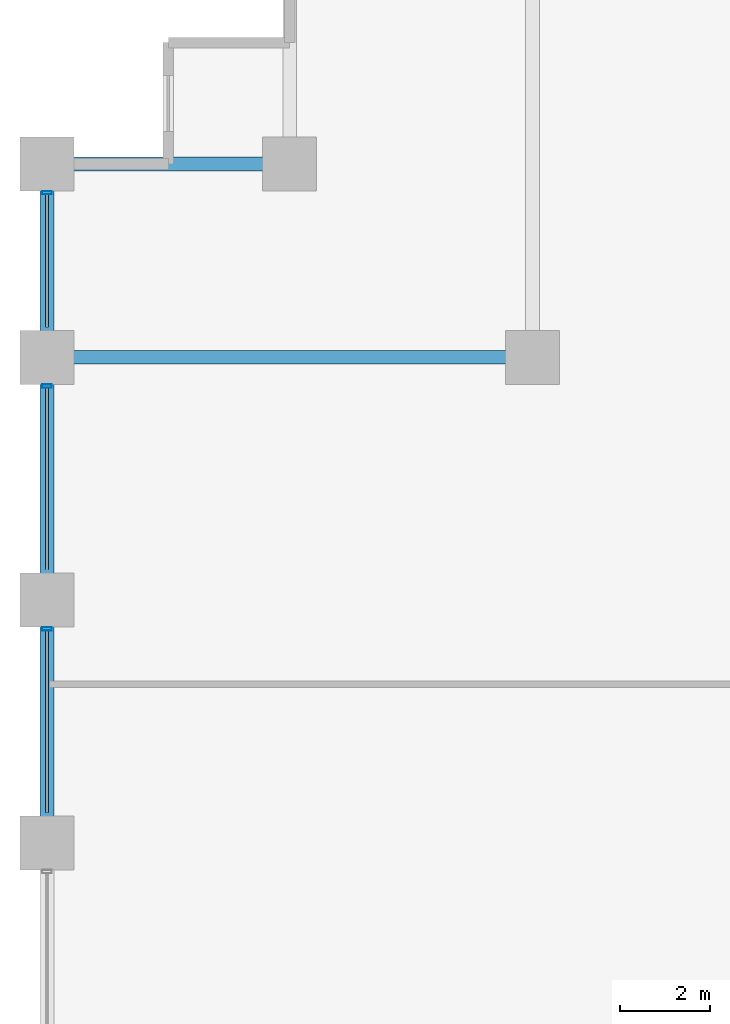
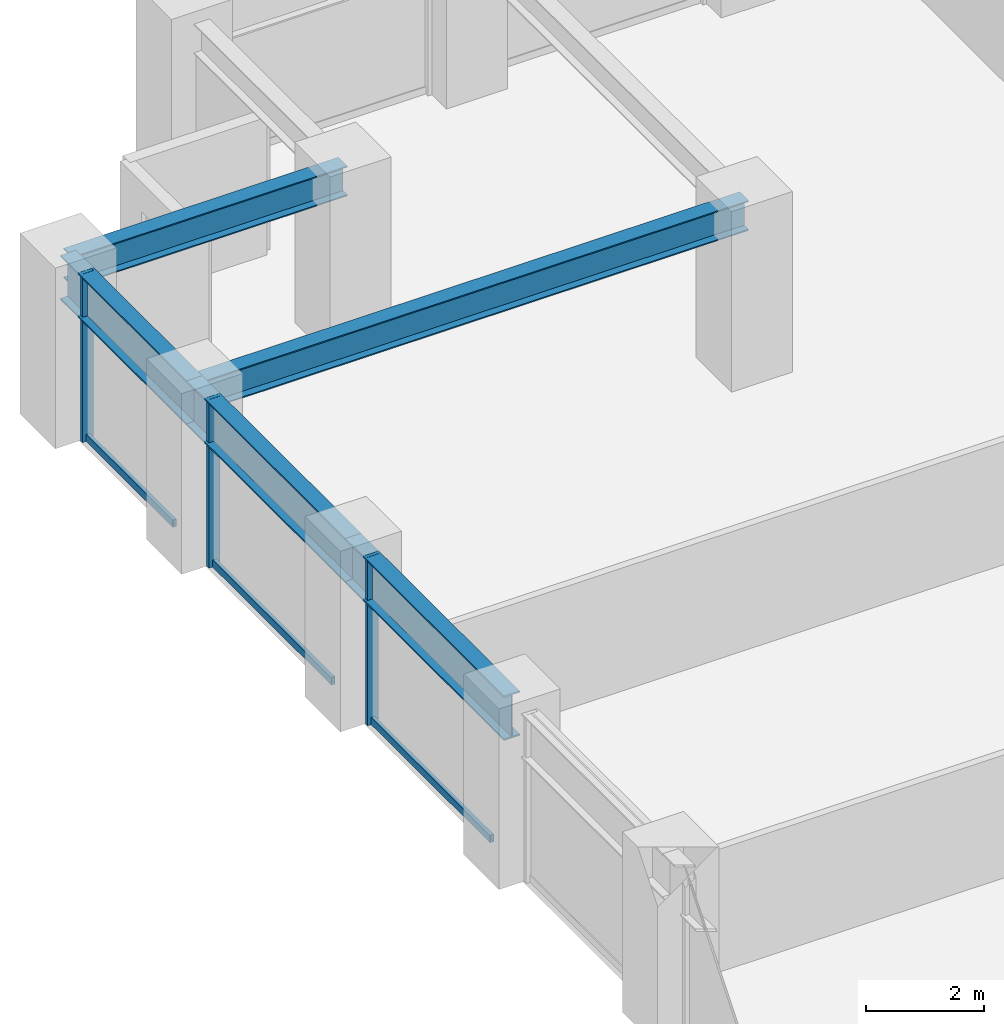
# One storey, part 10 of 26: 6 members, 5 beams, 1 element without a shape of its own.
"""IFC4 building model written with IfcOpenShell, lengths in metres."""

from ifc_helpers import new_model, si_unit, direction, frame, origin, origin_2d, place, context, subcontext, project, spatial, hollow_rectangle, i_section, extrude, material, layer, layer_set, material_profile, profile_set, type_object, element, aggregate, save


model = new_model("IFC4")

# Units and contexts
model_context = context("Model", 3, precision=1e-05, world=origin(), true_north=direction((0.0, 1.0)))
body_context = subcontext(model_context, "Body", "Model", "MODEL_VIEW")
ifc_project = project(units=[si_unit("LENGTHUNIT", "METRE"), si_unit("AREAUNIT", "SQUARE_METRE"), si_unit("VOLUMEUNIT", "CUBIC_METRE"), si_unit("PLANEANGLEUNIT", "RADIAN"), si_unit("MASSUNIT", "GRAM", prefix="KILO")], contexts=[model_context])

# Site, building, storey
site_placement = place(None, origin())
site = spatial("IfcSite", under=ifc_project, at=site_placement, CompositionType="ELEMENT")
building_placement = place(site_placement, origin())
building = spatial("IfcBuilding", under=site, at=building_placement, Name="Surkhivell Harbour Commons", CompositionType="ELEMENT")
storey_placement = place(building_placement, frame((0.0, 0.0, 75.0)))
storey = spatial("IfcBuildingStorey", under=building, at=storey_placement, Name="L19", CompositionType="ELEMENT", Elevation=75.0)

# Beams
ifc_material_1 = material(Name="Steel S355", Category="steel")
ifc_material_profile_1 = material_profile(ifc_material_1, i_section(OverallWidth=0.306884765625, OverallDepth=0.6201171875, WebThickness=0.01416015625, FlangeThickness=0.023681640625, at=origin_2d()), Name="UB610x305x179")
ifc_profile_set_1 = profile_set([ifc_material_profile_1], Name="Steel S355")
beam_type_1 = type_object("IfcBeamType", Name="BM-GRD-610A", PredefinedType="BEAM", material=ifc_profile_set_1)
beam_1_placement = place(storey_placement, frame((-32.39990234375, 16.199951171875, 3.18994140625), z_axis=(1.0, 0.0, 0.0), x_axis=(0.0, 1.0, 0.0)))
element("IfcBeam", 1, at=beam_1_placement, inside=storey, type_object=beam_type_1, Name="L19 Floor Girder (-32.4,16.2)", PredefinedType="BEAM", context=body_context, shape_type="SweptSolid", body=[
    extrude(i_section(OverallWidth=0.306884765625, OverallDepth=0.6201171875, WebThickness=0.01416015625, FlangeThickness=0.023681640625, at=origin_2d()), origin(), (0.0, 0.0, 1.0), 10.7998046875),
])
beam_2_placement = place(storey_placement, frame((-32.39990234375, 20.5, 3.18994140625), z_axis=(1.0, 0.0, 0.0), x_axis=(0.0, 1.0, 0.0)))
element("IfcBeam", 2, at=beam_2_placement, inside=storey, type_object=beam_type_1, Name="L19 Floor Girder (-32.4,20.5)", PredefinedType="BEAM", context=body_context, shape_type="SweptSolid", body=[
    extrude(i_section(OverallWidth=0.306884765625, OverallDepth=0.6201171875, WebThickness=0.01416015625, FlangeThickness=0.023681640625, at=origin_2d()), origin(), (0.0, 0.0, 1.0), 5.39990234375),
])
ifc_material_2 = material(Name="Steel S460", Category="steel")
ifc_material_profile_2 = material_profile(ifc_material_2, i_section(OverallWidth=0.30810546875, OverallDepth=0.927001953125, WebThickness=0.01953125, FlangeThickness=0.031982421875, at=origin_2d()), Name="UB914x305x289")
ifc_profile_set_2 = profile_set([ifc_material_profile_2], Name="Steel S460")
beam_type_2 = type_object("IfcBeamType", Name="BM-SPN-914B", PredefinedType="SPANDREL", material=ifc_profile_set_2)
beam_3_placement = place(storey_placement, frame((-32.39990234375, 5.39990234375, 3.03662109375), z_axis=(0.0, 1.0, 0.0), x_axis=(-1.0, 0.0, 0.0)))
element("IfcBeam", 3, at=beam_3_placement, inside=storey, type_object=beam_type_2, Name="L19 Tube Spandrel (-32.4,5.4)", PredefinedType="SPANDREL", context=body_context, shape_type="SweptSolid", body=[
    extrude(i_section(OverallWidth=0.30810546875, OverallDepth=0.927001953125, WebThickness=0.01953125, FlangeThickness=0.031982421875, at=origin_2d()), origin(), (0.0, 0.0, 1.0), 5.400146484375),
])
beam_4_placement = place(storey_placement, frame((-32.39990234375, 10.800048828125, 3.03662109375), z_axis=(0.0, 1.0, 0.0), x_axis=(-1.0, 0.0, 0.0)))
element("IfcBeam", 4, at=beam_4_placement, inside=storey, type_object=beam_type_2, Name="L19 Tube Spandrel (-32.4,10.8)", PredefinedType="SPANDREL", context=body_context, shape_type="SweptSolid", body=[
    extrude(i_section(OverallWidth=0.30810546875, OverallDepth=0.927001953125, WebThickness=0.01953125, FlangeThickness=0.031982421875, at=origin_2d()), origin(), (0.0, 0.0, 1.0), 5.39990234375),
])
beam_5_placement = place(storey_placement, frame((-32.39990234375, 16.199951171875, 3.03662109375), z_axis=(0.0, 1.0, 0.0), x_axis=(-1.0, 0.0, 0.0)))
element("IfcBeam", 5, at=beam_5_placement, inside=storey, type_object=beam_type_2, Name="L19 Tube Spandrel (-32.4,16.2)", PredefinedType="SPANDREL", context=body_context, shape_type="SweptSolid", body=[
    extrude(i_section(OverallWidth=0.30810546875, OverallDepth=0.927001953125, WebThickness=0.01953125, FlangeThickness=0.031982421875, at=origin_2d()), origin(), (0.0, 0.0, 1.0), 4.300048828125),
])

# Curtain wall, members
ifc_material_3 = material(Name="Anodised pale-metal aluminium and insulated glazing", Category="aluminium")
ifc_layer = layer(ifc_material_3, 0.219970703125)
ifc_layer_set = layer_set([ifc_layer], Name="Anodised pale-metal aluminium and insulated glazing")
curtain_wall_type = type_object("IfcCurtainWallType", Name="CW-SYS-Z1", PredefinedType="NOTDEFINED", material=ifc_layer_set)
curtain_wall_placement = place(storey_placement, origin())
curtain_wall = element("IfcCurtainWall", 6, at=curtain_wall_placement, inside=storey, type_object=curtain_wall_type, Name="L19 Curtain Wall CW-L19-E12S1", PredefinedType="NOTDEFINED")
ifc_material_4 = material(Name="Anodised pale-metal aluminium alloy 6063-T6", Category="aluminium")
ifc_material_profile_3 = material_profile(ifc_material_4, hollow_rectangle(XDim=0.074951171875, YDim=0.219970703125, WallThickness=0.00390625, at=origin_2d()), Name="ALU-MULL-75x220")
ifc_profile_set_3 = profile_set([ifc_material_profile_3], Name="Anodised pale-metal aluminium alloy 6063-T6")
member_type_1 = type_object("IfcMemberType", Name="CWM-220", PredefinedType="MULLION", material=ifc_profile_set_3)
member_1_placement = place(storey_placement, frame((-32.39990234375, 19.860595703125, 0.0), z_axis=(0.0, 0.0, 1.0), x_axis=(0.0, -1.0, 0.0)))
member_1 = element("IfcMember", 7, at=member_1_placement, type_object=member_type_1, Name="CW-Z1 mullion 1", PredefinedType="MULLION", context=body_context, shape_type="SweptSolid", body=[
    extrude(hollow_rectangle(XDim=0.074951171875, YDim=0.219970703125, WallThickness=0.00390625, at=origin_2d()), origin(), (0.0, 0.0, 1.0), 3.5),
])
member_2_placement = place(storey_placement, frame((-32.39990234375, 15.560546875, 0.0), z_axis=(0.0, 0.0, 1.0), x_axis=(0.0, -1.0, 0.0)))
member_2 = element("IfcMember", 8, at=member_2_placement, type_object=member_type_1, Name="CW-Z1 mullion 2", PredefinedType="MULLION", context=body_context, shape_type="SweptSolid", body=[
    extrude(hollow_rectangle(XDim=0.074951171875, YDim=0.219970703125, WallThickness=0.00390625, at=origin_2d()), origin(), (0.0, 0.0, 1.0), 3.5),
])
member_3_placement = place(storey_placement, frame((-32.39990234375, 10.160400390625, 0.0), z_axis=(0.0, 0.0, 1.0), x_axis=(0.0, -1.0, 0.0)))
member_3 = element("IfcMember", 9, at=member_3_placement, type_object=member_type_1, Name="CW-Z1 mullion 3", PredefinedType="MULLION", context=body_context, shape_type="SweptSolid", body=[
    extrude(hollow_rectangle(XDim=0.074951171875, YDim=0.219970703125, WallThickness=0.00390625, at=origin_2d()), origin(), (0.0, 0.0, 1.0), 3.5),
])
ifc_material_profile_4 = material_profile(ifc_material_4, hollow_rectangle(XDim=0.074951171875, YDim=0.14990234375, WallThickness=0.00341796875, at=origin_2d()), Name="ALU-TRAN-75x150")
ifc_profile_set_4 = profile_set([ifc_material_profile_4], Name="Anodised pale-metal aluminium alloy 6063-T6")
member_type_2 = type_object("IfcMemberType", Name="CWT-150", PredefinedType="USERDEFINED", material=ifc_profile_set_4)
member_4_placement = place(storey_placement, frame((-32.39990234375, 19.822998046875, 0.074951171875), z_axis=(0.0, -1.0, 0.0), x_axis=(1.0, 0.0, 0.0)))
member_4 = element("IfcMember", 10, at=member_4_placement, type_object=member_type_2, Name="CW-Z1 transom 1.1", ObjectType="TRANSOM", PredefinedType="USERDEFINED", context=body_context, shape_type="SweptSolid", body=[
    extrude(hollow_rectangle(XDim=0.074951171875, YDim=0.14990234375, WallThickness=0.00341796875, at=origin_2d()), origin(), (0.0, 0.0, 1.0), 2.946044921875),
])
member_5_placement = place(storey_placement, frame((-32.39990234375, 15.52294921875, 0.074951171875), z_axis=(0.0, -1.0, 0.0), x_axis=(1.0, 0.0, 0.0)))
member_5 = element("IfcMember", 11, at=member_5_placement, type_object=member_type_2, Name="CW-Z1 transom 2.1", ObjectType="TRANSOM", PredefinedType="USERDEFINED", context=body_context, shape_type="SweptSolid", body=[
    extrude(hollow_rectangle(XDim=0.074951171875, YDim=0.14990234375, WallThickness=0.00341796875, at=origin_2d()), origin(), (0.0, 0.0, 1.0), 4.0458984375),
])
member_6_placement = place(storey_placement, frame((-32.39990234375, 10.123046875, 0.074951171875), z_axis=(0.0, -1.0, 0.0), x_axis=(1.0, 0.0, 0.0)))
member_6 = element("IfcMember", 12, at=member_6_placement, type_object=member_type_2, Name="CW-Z1 transom 3.1", ObjectType="TRANSOM", PredefinedType="USERDEFINED", context=body_context, shape_type="SweptSolid", body=[
    extrude(hollow_rectangle(XDim=0.074951171875, YDim=0.14990234375, WallThickness=0.00341796875, at=origin_2d()), origin(), (0.0, 0.0, 1.0), 4.046142578125),
])
aggregate(curtain_wall, [member_1, member_4, member_2, member_5, member_3, member_6])

save(model, "model.ifc")
